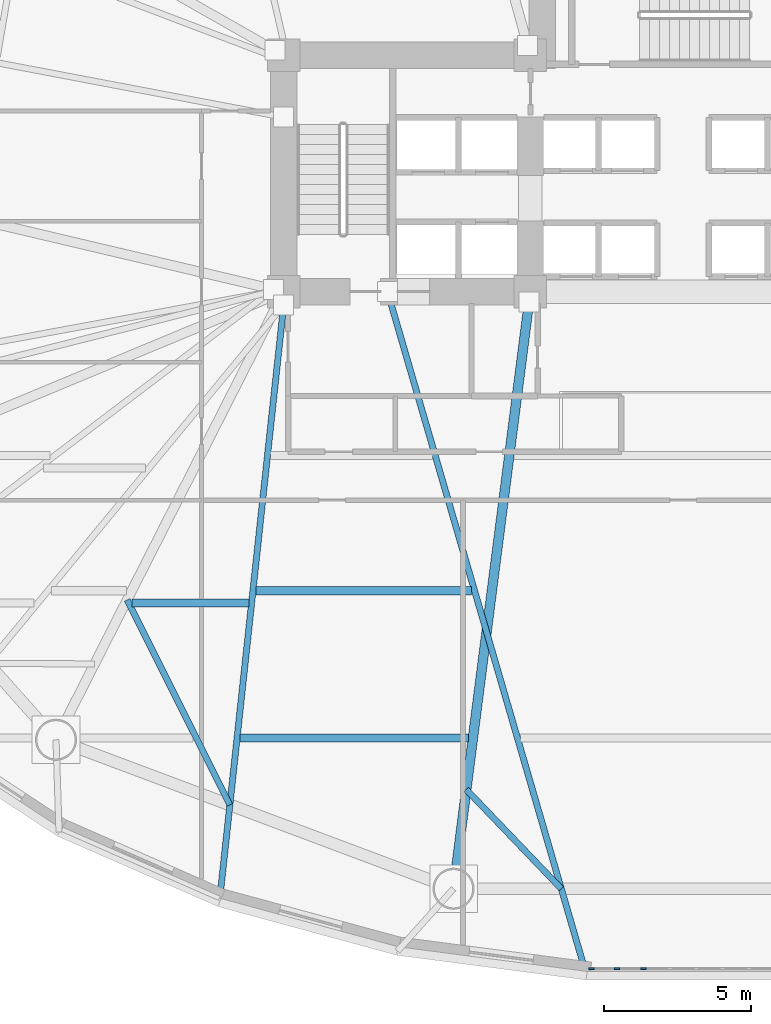
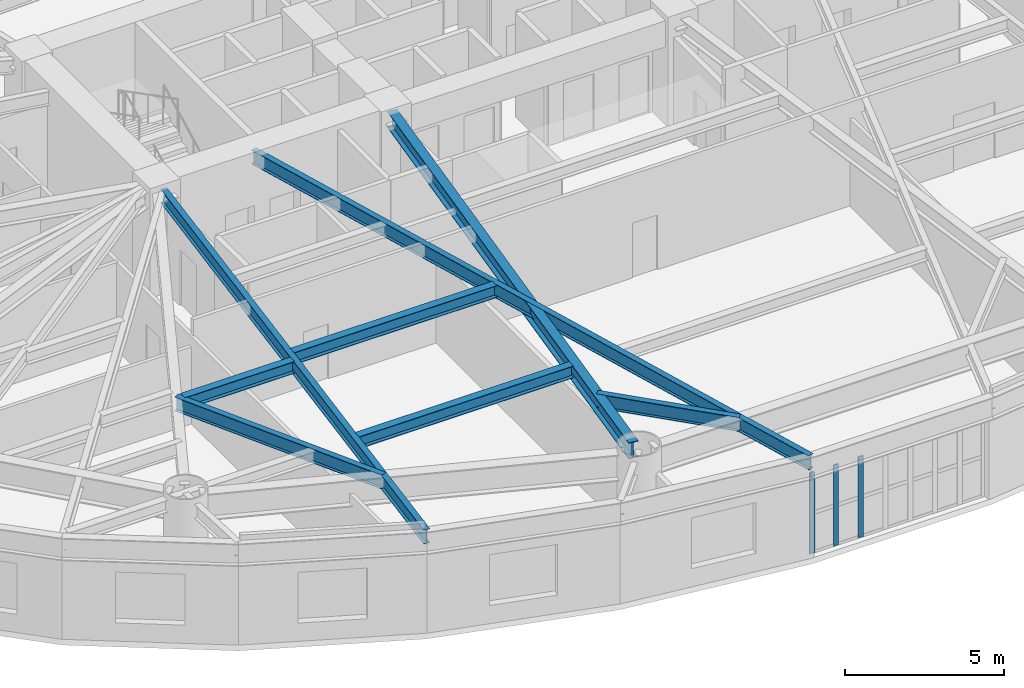
# One storey, part 2 of 18: 8 beams, 3 members, 1 element without a shape of its own.
"""IFC4 building model written with IfcOpenShell, lengths in metres."""

from ifc_helpers import new_model, si_unit, direction, frame, origin, origin_2d, place, context, subcontext, project, spatial, rectangle, i_section, extrude, material, layer, layer_set, material_profile, profile_set, type_object, element, aggregate, save


model = new_model("IFC4")

# Units and contexts
model_context = context("Model", 3, precision=1e-05, world=origin(), true_north=direction((0.0, 1.0)))
body_context = subcontext(model_context, "Body", "Model", "MODEL_VIEW")
ifc_project = project(units=[si_unit("LENGTHUNIT", "METRE"), si_unit("AREAUNIT", "SQUARE_METRE"), si_unit("VOLUMEUNIT", "CUBIC_METRE"), si_unit("PLANEANGLEUNIT", "RADIAN"), si_unit("MASSUNIT", "GRAM", prefix="KILO")], contexts=[model_context])

# Site, building, storey
site_placement = place(None, origin())
site = spatial("IfcSite", under=ifc_project, at=site_placement, CompositionType="ELEMENT")
building_placement = place(site_placement, origin())
building = spatial("IfcBuilding", under=site, at=building_placement, Name="Keldmark Tower", CompositionType="ELEMENT")
storey_placement = place(building_placement, frame((0.0, 0.0, 6.0)))
storey = spatial("IfcBuildingStorey", under=building, at=storey_placement, Name="L01", CompositionType="ELEMENT", Elevation=6.0)

# Beams
ifc_material_1 = material(Name="Steel ASTM A992 Grade 50", Category="steel")
ifc_material_profile_1 = material_profile(ifc_material_1, i_section(OverallWidth=0.280029296875, OverallDepth=0.462890625, WebThickness=0.0107421875, FlangeThickness=0.017333984375, at=origin_2d()), Name="W18X76")
ifc_profile_set_1 = profile_set([ifc_material_profile_1], Name="Steel ASTM A992 Grade 50")
beam_type_1 = type_object("IfcBeamType", Name="Composite Floor Joist W18X76", PredefinedType="JOIST", material=ifc_profile_set_1)
beam_1_placement = place(storey_placement, frame((-15.091796875, -13.800048828125, 3.74853515625), z_axis=(1.0, 0.0, 0.0), x_axis=(0.0, 1.0, 0.0)))
element("IfcBeam", 1, at=beam_1_placement, inside=storey, type_object=beam_type_1, Name="L01 Composite Floor Joist J02", PredefinedType="JOIST", context=body_context, shape_type="SweptSolid", body=[
    extrude(i_section(OverallWidth=0.280029296875, OverallDepth=0.462890625, WebThickness=0.0107421875, FlangeThickness=0.017333984375, at=origin_2d()), origin(), (0.0, 0.0, 1.0), 7.780029296875),
])
beam_2_placement = place(storey_placement, frame((-18.772216796875, -9.199951171875, 3.74853515625), z_axis=(1.0, 0.0, 0.0), x_axis=(0.0, 1.0, 0.0)))
element("IfcBeam", 2, at=beam_2_placement, inside=storey, type_object=beam_type_1, Name="L01 Composite Floor Joist J08", PredefinedType="JOIST", context=body_context, shape_type="SweptSolid", body=[
    extrude(i_section(OverallWidth=0.280029296875, OverallDepth=0.462890625, WebThickness=0.0107421875, FlangeThickness=0.017333984375, at=origin_2d()), origin(), (0.0, 0.0, 1.0), 3.982421875),
])
beam_3_placement = place(storey_placement, frame((-14.55126953125, -8.780029296875, 3.74853515625), z_axis=(1.0, 0.0, 0.0), x_axis=(0.0, 1.0, 0.0)))
element("IfcBeam", 3, at=beam_3_placement, inside=storey, type_object=beam_type_1, Name="L01 Composite Floor Joist J09", PredefinedType="JOIST", context=body_context, shape_type="SweptSolid", body=[
    extrude(i_section(OverallWidth=0.280029296875, OverallDepth=0.462890625, WebThickness=0.0107421875, FlangeThickness=0.017333984375, at=origin_2d()), origin(), (0.0, 0.0, 1.0), 7.35009765625),
])

# Curtain wall, members
ifc_material_2 = material(Name="Unitized Thermally Broken Aluminum and Triple Low-E Glazing", Category="aluminium")
ifc_layer = layer(ifc_material_2, 0.219970703125)
ifc_layer_set = layer_set([ifc_layer], Name="Unitized Thermally Broken Aluminum and Triple Low-E Glazing")
curtain_wall_type = type_object("IfcCurtainWallType", Name="Podium Wintergarden Curtain Wall System", PredefinedType="NOTDEFINED", material=ifc_layer_set)
curtain_wall_placement = place(storey_placement, origin())
curtain_wall = element("IfcCurtainWall", 4, at=curtain_wall_placement, inside=storey, type_object=curtain_wall_type, Name="L01 Podium Wintergarden Curtain Wall System CW-L01-24", PredefinedType="NOTDEFINED")
ifc_material_3 = material(Name="Extruded Aluminum Alloy 6063-T6", Category="aluminium")
ifc_material_profile_2 = material_profile(ifc_material_3, rectangle(XDim=0.06005859375, YDim=0.179931640625, at=origin_2d()), Name="CWM60X180")
ifc_profile_set_2 = profile_set([ifc_material_profile_2], Name="Extruded Aluminum Alloy 6063-T6")
member_type = type_object("IfcMemberType", Name="Curtain Wall Structural Mullion 60x180", PredefinedType="MULLION", material=ifc_profile_set_2)
member_1_placement = place(storey_placement, frame((-1.34716796875, -21.654052734375, 0.0), z_axis=(0.0, 0.0, 1.0), x_axis=(0.0, -1.0, 0.0)))
member_1 = element("IfcMember", 5, at=member_1_placement, type_object=member_type, Name="CW mullion 6", PredefinedType="MULLION", context=body_context, shape_type="SweptSolid", body=[
    extrude(rectangle(XDim=0.06005859375, YDim=0.179931640625, at=origin_2d()), origin(), (0.0, 0.0, 1.0), 3.10888671875),
])
member_2_placement = place(storey_placement, frame((-2.245361328125, -21.654052734375, 0.0), z_axis=(0.0, 0.0, 1.0), x_axis=(0.0, -1.0, 0.0)))
member_2 = element("IfcMember", 6, at=member_2_placement, type_object=member_type, Name="CW mullion 7", PredefinedType="MULLION", context=body_context, shape_type="SweptSolid", body=[
    extrude(rectangle(XDim=0.06005859375, YDim=0.179931640625, at=origin_2d()), origin(), (0.0, 0.0, 1.0), 3.10888671875),
])
member_3_placement = place(storey_placement, frame((-3.113525390625, -21.654052734375, 0.0), z_axis=(0.0, 0.0, 1.0), x_axis=(0.0, -1.0, 0.0)))
member_3 = element("IfcMember", 7, at=member_3_placement, type_object=member_type, Name="CW mullion 8", PredefinedType="MULLION", context=body_context, shape_type="SweptSolid", body=[
    extrude(rectangle(XDim=0.06005859375, YDim=0.179931640625, at=origin_2d()), origin(), (0.0, 0.0, 1.0), 3.10888671875),
])
aggregate(curtain_wall, [member_1, member_2, member_3])

# Beams
ifc_material_4 = material(Name="Steel ASTM A992 Grade 50", Category="steel")
ifc_material_profile_3 = material_profile(ifc_material_4, i_section(OverallWidth=0.2099609375, OverallDepth=0.537109375, WebThickness=0.010986328125, FlangeThickness=0.017333984375, at=origin_2d()), Name="W21X68")
ifc_profile_set_3 = profile_set([ifc_material_profile_3], Name="Steel ASTM A992 Grade 50")
beam_type_2 = type_object("IfcBeamType", Name="Radial Tie Girder W21X68", PredefinedType="BEAM", material=ifc_profile_set_3)
beam_4_placement = place(storey_placement, frame((-18.93310546875, -9.09423828125, 3.71142578125), z_axis=(0.447976051769, -0.894045556469, 0.0), x_axis=(0.894045556469, 0.447976051769, 0.0)))
element("IfcBeam", 8, at=beam_4_placement, inside=storey, type_object=beam_type_2, Name="L01 Framing Pin Header PH-021", PredefinedType="BEAM", context=body_context, shape_type="SweptSolid", body=[
    extrude(i_section(OverallWidth=0.2099609375, OverallDepth=0.537109375, WebThickness=0.010986328125, FlangeThickness=0.017333984375, at=origin_2d()), origin(), (0.0, 0.0, 1.0), 7.811279296875),
])
beam_5_placement = place(storey_placement, frame((-13.60009765625, 0.949951171875, 3.71142578125), z_axis=(-0.10706666985, -0.994251843452, 0.0), x_axis=(0.994251843452, -0.10706666985, 0.0)))
element("IfcBeam", 9, at=beam_5_placement, inside=storey, type_object=beam_type_2, Name="L01 Perimeter Radial Tie Girder RT-22", PredefinedType="BEAM", context=body_context, shape_type="SweptSolid", body=[
    extrude(i_section(OverallWidth=0.2099609375, OverallDepth=0.537109375, WebThickness=0.010986328125, FlangeThickness=0.017333984375, at=origin_2d()), origin(), (0.0, 0.0, 1.0), 20.469970703125),
])
beam_6_placement = place(storey_placement, frame((-7.3818359375, -15.554931640625, 3.71142578125), z_axis=(0.691861148653, -0.722030574826, 0.0), x_axis=(0.722030574826, 0.691861148653, 0.0)))
element("IfcBeam", 10, at=beam_6_placement, inside=storey, type_object=beam_type_2, Name="L01 Framing Pin Header PH-022", PredefinedType="BEAM", context=body_context, shape_type="SweptSolid", body=[
    extrude(i_section(OverallWidth=0.2099609375, OverallDepth=0.537109375, WebThickness=0.010986328125, FlangeThickness=0.017333984375, at=origin_2d()), origin(), (0.0, 0.0, 1.0), 4.67724609375),
])
beam_7_placement = place(storey_placement, frame((-10.064208984375, 1.39990234375, 3.71142578125), z_axis=(0.279485239176, -0.960149988847, 0.0), x_axis=(0.960149988847, 0.279485239176, 0.0)))
element("IfcBeam", 11, at=beam_7_placement, inside=storey, type_object=beam_type_2, Name="L01 Perimeter Radial Tie Girder RT-24", PredefinedType="BEAM", context=body_context, shape_type="SweptSolid", body=[
    extrude(i_section(OverallWidth=0.2099609375, OverallDepth=0.537109375, WebThickness=0.010986328125, FlangeThickness=0.017333984375, at=origin_2d()), origin(), (0.0, 0.0, 1.0), 24.2607421875),
])
ifc_material_5 = material(Name="Steel ASTM A992 Grade 50", Category="steel")
ifc_material_profile_4 = material_profile(ifc_material_5, i_section(OverallWidth=0.326904296875, OverallDepth=0.6220703125, WebThickness=0.015380859375, FlangeThickness=0.0244140625, at=origin_2d()), Name="W24X131")
ifc_profile_set_4 = profile_set([ifc_material_profile_4], Name="Steel ASTM A992 Grade 50")
beam_type_3 = type_object("IfcBeamType", Name="Spandrel Ring Beam W24X131", PredefinedType="SPANDREL", material=ifc_profile_set_4)
beam_8_placement = place(storey_placement, frame((-7.7587890625, -18.48583984375, 3.6689453125), z_axis=(0.127622930912, 0.991822760127, 0.0), x_axis=(-0.991822760127, 0.127622930912, 0.0)))
element("IfcBeam", 12, at=beam_8_placement, inside=storey, type_object=beam_type_3, Name="L01 Podium Radial Girder PG-C09", PredefinedType="SPANDREL", context=body_context, shape_type="SweptSolid", body=[
    extrude(i_section(OverallWidth=0.326904296875, OverallDepth=0.6220703125, WebThickness=0.015380859375, FlangeThickness=0.0244140625, at=origin_2d()), origin(), (0.0, 0.0, 1.0), 19.699951171875),
])

save(model, "model.ifc")
